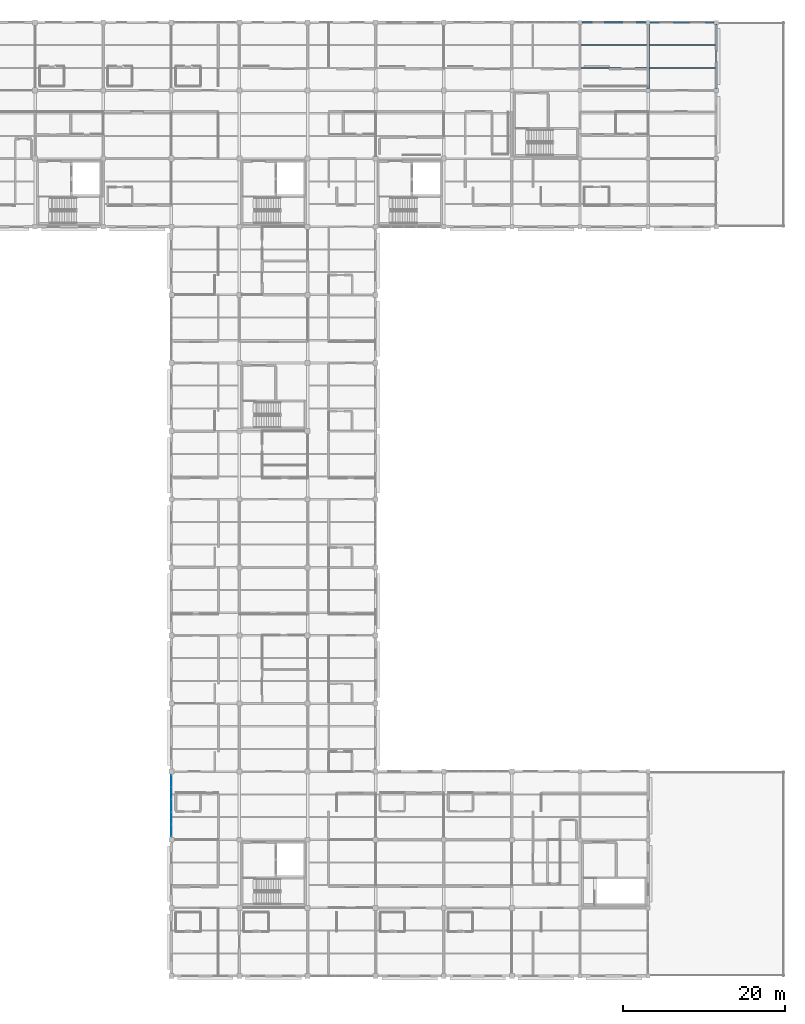
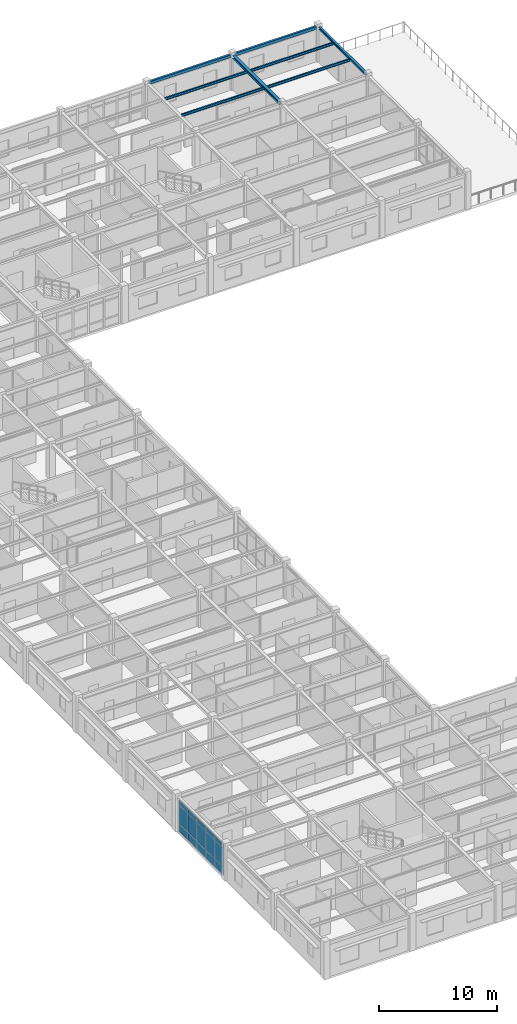
# One storey, part 37 of 70: 15 plates, 8 beams, 1 element without a shape of its own.
"""IFC4 building model written with IfcOpenShell, lengths in metres."""

from ifc_helpers import new_model, si_unit, direction, frame, origin, origin_2d, place, context, subcontext, project, spatial, rectangle, hollow_rectangle, i_section, extrude, material, layer, layer_set, material_profile, profile_set, type_object, element, aggregate, save


model = new_model("IFC4")

# Units and contexts
model_context = context("Model", 3, precision=1e-05, world=origin(), true_north=direction((0.0, 1.0)))
body_context = subcontext(model_context, "Body", "Model", "MODEL_VIEW")
ifc_project = project(units=[si_unit("LENGTHUNIT", "METRE"), si_unit("AREAUNIT", "SQUARE_METRE"), si_unit("VOLUMEUNIT", "CUBIC_METRE"), si_unit("PLANEANGLEUNIT", "RADIAN"), si_unit("MASSUNIT", "GRAM", prefix="KILO")], contexts=[model_context])

# Site, building, storey
site_placement = place(None, origin())
site = spatial("IfcSite", under=ifc_project, at=site_placement, CompositionType="ELEMENT")
building_placement = place(site_placement, origin())
building = spatial("IfcBuilding", under=site, at=building_placement, Name="Bramfleet General Hospital", CompositionType="ELEMENT")
storey_placement = place(building_placement, frame((0.0, 0.0, 22.5)))
storey = spatial("IfcBuildingStorey", under=building, at=storey_placement, Name="L05", CompositionType="ELEMENT", Elevation=22.5)

# Beams
ifc_material_1 = material(Name="Steel S355", Category="steel")
ifc_material_profile_1 = material_profile(ifc_material_1, i_section(OverallWidth=0.239990234375, OverallDepth=0.22998046875, WebThickness=0.007568359375, FlangeThickness=0.011962890625, FilletRadius=0.02099609375, at=origin_2d()), Name="HEA 240")
ifc_profile_set_1 = profile_set([ifc_material_profile_1], Name="Steel S355")
beam_type_1 = type_object("IfcBeamType", Name="BM-HEA240", PredefinedType="SPANDREL", material=ifc_profile_set_1)
beam_1_placement = place(storey_placement, frame((159.60009765625, 109.449951171875, 3.4951171875), z_axis=(0.0, 1.0, 0.0), x_axis=(-1.0, 0.0, 0.0)))
element("IfcBeam", 1, at=beam_1_placement, inside=storey, type_object=beam_type_1, Name="L05 Grid Beam Y 19-13", PredefinedType="SPANDREL", context=body_context, shape_type="SweptSolid", body=[
    extrude(i_section(OverallWidth=0.239990234375, OverallDepth=0.22998046875, WebThickness=0.007568359375, FlangeThickness=0.011962890625, FilletRadius=0.02099609375, at=origin_2d()), origin(), (0.0, 0.0, 1.0), 7.900146484375),
])
ifc_material_profile_2 = material_profile(ifc_material_1, i_section(OverallWidth=0.300048828125, OverallDepth=0.31005859375, WebThickness=0.009033203125, FlangeThickness=0.015380859375, FilletRadius=0.027099609375, at=origin_2d()), Name="HEA 320")
ifc_profile_set_2 = profile_set([ifc_material_profile_2], Name="Steel S355")
beam_type_2 = type_object("IfcBeamType", Name="BM-HEA320", PredefinedType="BEAM", material=ifc_profile_set_2)
beam_2_placement = place(storey_placement, frame((151.199951171875, 109.449951171875, 3.455078125), z_axis=(0.0, 1.0, 0.0), x_axis=(-1.0, 0.0, 0.0)))
element("IfcBeam", 2, at=beam_2_placement, inside=storey, type_object=beam_type_2, Name="L05 Grid Beam Y 18-13", PredefinedType="BEAM", context=body_context, shape_type="SweptSolid", body=[
    extrude(i_section(OverallWidth=0.300048828125, OverallDepth=0.31005859375, WebThickness=0.009033203125, FlangeThickness=0.015380859375, FilletRadius=0.027099609375, at=origin_2d()), origin(), (0.0, 0.0, 1.0), 7.900146484375),
])
ifc_material_profile_3 = material_profile(ifc_material_1, i_section(OverallWidth=0.135009765625, OverallDepth=0.27001953125, WebThickness=0.006591796875, FlangeThickness=0.01025390625, FilletRadius=0.014892578125, at=origin_2d()), Name="IPE 270")
ifc_profile_set_3 = profile_set([ifc_material_profile_3], Name="Steel S355")
beam_type_3 = type_object("IfcBeamType", Name="BM-IPE270", PredefinedType="JOIST", material=ifc_profile_set_3)
for number, where, z_axis, x_axis, name in (
    (3, (142.949951171875, 112.0, 3.485107421875), (1.0, 0.0, 0.0), (0.0, 1.0, 0.0), "L05 Secondary Joist 17-13-1"),
    (4, (142.949951171875, 114.800048828125, 3.485107421875), (1.0, 0.0, 0.0), (0.0, 1.0, 0.0), "L05 Secondary Joist 17-13-2"),
):
    element("IfcBeam", number, at=place(storey_placement, frame(where, z_axis=z_axis, x_axis=x_axis)), inside=storey, type_object=beam_type_3, Name=name, PredefinedType="JOIST", context=body_context, shape_type="SweptSolid", body=[
        extrude(i_section(OverallWidth=0.135009765625, OverallDepth=0.27001953125, WebThickness=0.006591796875, FlangeThickness=0.01025390625, FilletRadius=0.014892578125, at=origin_2d()), origin(), (0.0, 0.0, 1.0), 8.10009765625),
    ])
for number, where, z_axis, x_axis, name in (
    (5, (151.35009765625, 112.0, 3.47509765625), (1.0, 0.0, 0.0), (0.0, 1.0, 0.0), "L05 Secondary Joist 18-13-1"),
    (6, (151.35009765625, 114.800048828125, 3.47509765625), (1.0, 0.0, 0.0), (0.0, 1.0, 0.0), "L05 Secondary Joist 18-13-2"),
):
    element("IfcBeam", number, at=place(storey_placement, frame(where, z_axis=z_axis, x_axis=x_axis)), inside=storey, type_object=beam_type_3, Name=name, PredefinedType="JOIST", context=body_context, shape_type="SweptSolid", body=[
        extrude(i_section(OverallWidth=0.135009765625, OverallDepth=0.27001953125, WebThickness=0.006591796875, FlangeThickness=0.01025390625, FilletRadius=0.014892578125, at=origin_2d()), origin(), (0.0, 0.0, 1.0), 8.1298828125),
    ])
ifc_material_profile_4 = material_profile(ifc_material_1, hollow_rectangle(XDim=0.199951171875, YDim=0.300048828125, WallThickness=0.012451171875, at=origin_2d()), Name="RHS 300x200x12.5")
ifc_profile_set_4 = profile_set([ifc_material_profile_4], Name="Steel S355")
beam_type_4 = type_object("IfcBeamType", Name="BM-RHS300", PredefinedType="SPANDREL", material=ifc_profile_set_4)
beam_3_placement = place(storey_placement, frame((143.050048828125, 117.60009765625, 3.469970703125), z_axis=(1.0, 0.0, 0.0), x_axis=(0.0, 1.0, 0.0)))
element("IfcBeam", 7, at=beam_3_placement, inside=storey, type_object=beam_type_4, Name="L05 Grid Beam X 17-14", PredefinedType="SPANDREL", context=body_context, shape_type="SweptSolid", body=[
    extrude(hollow_rectangle(XDim=0.199951171875, YDim=0.300048828125, WallThickness=0.012451171875, at=origin_2d()), origin(), (0.0, 0.0, 1.0), 7.89990234375),
])
beam_4_placement = place(storey_placement, frame((151.449951171875, 117.60009765625, 3.4599609375), z_axis=(1.0, 0.0, 0.0), x_axis=(0.0, 1.0, 0.0)))
element("IfcBeam", 8, at=beam_4_placement, inside=storey, type_object=beam_type_4, Name="L05 Grid Beam X 18-14", PredefinedType="SPANDREL", context=body_context, shape_type="SweptSolid", body=[
    extrude(hollow_rectangle(XDim=0.199951171875, YDim=0.300048828125, WallThickness=0.012451171875, at=origin_2d()), origin(), (0.0, 0.0, 1.0), 7.900146484375),
])

# Curtain wall, plates
ifc_material_2 = material(Name="Anodised aluminium and low-E triple glazing", Category="aluminium")
ifc_layer_1 = layer(ifc_material_2, 0.179931640625, Name="CWT-CW-13")
ifc_layer_set_1 = layer_set([ifc_layer_1], Name="Anodised aluminium and low-E triple glazing")
curtain_wall_type = type_object("IfcCurtainWallType", Name="CWT-CW-13", PredefinedType="USERDEFINED", material=ifc_layer_set_1)
curtain_wall_placement = place(storey_placement, origin())
curtain_wall = element("IfcCurtainWall", 9, at=curtain_wall_placement, inside=storey, type_object=curtain_wall_type, Name="L05 Curtain Wall 211", ObjectType="Stick curtain wall", PredefinedType="USERDEFINED")
ifc_material_3 = material(Name="Low-E laminated safety glass", Category="glass")
ifc_layer_2 = layer(ifc_material_3, 0.035888671875, Name="CWP-GLZ-3")
ifc_layer_set_2 = layer_set([ifc_layer_2], Name="Low-E laminated safety glass")
plate_type = type_object("IfcPlateType", Name="CWP-GLZ-3", PredefinedType="CURTAIN_PANEL", material=ifc_layer_set_2)
plate_1_placement = place(storey_placement, frame((92.39990234375, 17.95751953125, 0.06494140625), z_axis=(0.0, 0.0, 1.0), x_axis=(0.0, 1.0, 0.0)))
plate_1 = element("IfcPlate", 10, at=plate_1_placement, type_object=plate_type, Name="CW-13 panel 1.1", PredefinedType="CURTAIN_PANEL", context=body_context, shape_type="SweptSolid", body=[
    extrude(rectangle(XDim=1.425048828125, YDim=0.035888671875, at=origin_2d()), origin(), (0.0, 0.0, 1.0), 0.802490234375),
])
plate_2_placement = place(storey_placement, frame((92.39990234375, 17.95751953125, 0.9326171875), z_axis=(0.0, 0.0, 1.0), x_axis=(0.0, 1.0, 0.0)))
plate_2 = element("IfcPlate", 11, at=plate_2_placement, type_object=plate_type, Name="CW-13 panel 1.2", PredefinedType="CURTAIN_PANEL", context=body_context, shape_type="SweptSolid", body=[
    extrude(rectangle(XDim=1.425048828125, YDim=0.035888671875, at=origin_2d()), origin(), (0.0, 0.0, 1.0), 1.864990234375),
])
plate_3_placement = place(storey_placement, frame((92.39990234375, 17.95751953125, 2.86279296875), z_axis=(0.0, 0.0, 1.0), x_axis=(0.0, 1.0, 0.0)))
plate_3 = element("IfcPlate", 12, at=plate_3_placement, type_object=plate_type, Name="CW-13 panel 1.3", PredefinedType="CURTAIN_PANEL", context=body_context, shape_type="SweptSolid", body=[
    extrude(rectangle(XDim=1.425048828125, YDim=0.035888671875, at=origin_2d()), origin(), (0.0, 0.0, 1.0), 0.452392578125),
])
plate_4_placement = place(storey_placement, frame((92.39990234375, 19.469970703125, 0.06494140625), z_axis=(0.0, 0.0, 1.0), x_axis=(0.0, 1.0, 0.0)))
plate_4 = element("IfcPlate", 13, at=plate_4_placement, type_object=plate_type, Name="CW-13 panel 2.1", PredefinedType="CURTAIN_PANEL", context=body_context, shape_type="SweptSolid", body=[
    extrude(rectangle(XDim=1.4599609375, YDim=0.035888671875, at=origin_2d()), origin(), (0.0, 0.0, 1.0), 0.802490234375),
])
plate_5_placement = place(storey_placement, frame((92.39990234375, 19.469970703125, 0.9326171875), z_axis=(0.0, 0.0, 1.0), x_axis=(0.0, 1.0, 0.0)))
plate_5 = element("IfcPlate", 14, at=plate_5_placement, type_object=plate_type, Name="CW-13 panel 2.2", PredefinedType="CURTAIN_PANEL", context=body_context, shape_type="SweptSolid", body=[
    extrude(rectangle(XDim=1.4599609375, YDim=0.035888671875, at=origin_2d()), origin(), (0.0, 0.0, 1.0), 1.864990234375),
])
plate_6_placement = place(storey_placement, frame((92.39990234375, 19.469970703125, 2.86279296875), z_axis=(0.0, 0.0, 1.0), x_axis=(0.0, 1.0, 0.0)))
plate_6 = element("IfcPlate", 15, at=plate_6_placement, type_object=plate_type, Name="CW-13 panel 2.3", PredefinedType="CURTAIN_PANEL", context=body_context, shape_type="SweptSolid", body=[
    extrude(rectangle(XDim=1.4599609375, YDim=0.035888671875, at=origin_2d()), origin(), (0.0, 0.0, 1.0), 0.452392578125),
])
plate_7_placement = place(storey_placement, frame((92.39990234375, 21.0, 0.06494140625), z_axis=(0.0, 0.0, 1.0), x_axis=(0.0, 1.0, 0.0)))
plate_7 = element("IfcPlate", 16, at=plate_7_placement, type_object=plate_type, Name="CW-13 panel 3.1", PredefinedType="CURTAIN_PANEL", context=body_context, shape_type="SweptSolid", body=[
    extrude(rectangle(XDim=1.4599609375, YDim=0.035888671875, at=origin_2d()), origin(), (0.0, 0.0, 1.0), 0.802490234375),
])
plate_8_placement = place(storey_placement, frame((92.39990234375, 21.0, 0.9326171875), z_axis=(0.0, 0.0, 1.0), x_axis=(0.0, 1.0, 0.0)))
plate_8 = element("IfcPlate", 17, at=plate_8_placement, type_object=plate_type, Name="CW-13 panel 3.2", PredefinedType="CURTAIN_PANEL", context=body_context, shape_type="SweptSolid", body=[
    extrude(rectangle(XDim=1.4599609375, YDim=0.035888671875, at=origin_2d()), origin(), (0.0, 0.0, 1.0), 1.864990234375),
])
plate_9_placement = place(storey_placement, frame((92.39990234375, 21.0, 2.86279296875), z_axis=(0.0, 0.0, 1.0), x_axis=(0.0, 1.0, 0.0)))
plate_9 = element("IfcPlate", 18, at=plate_9_placement, type_object=plate_type, Name="CW-13 panel 3.3", PredefinedType="CURTAIN_PANEL", context=body_context, shape_type="SweptSolid", body=[
    extrude(rectangle(XDim=1.4599609375, YDim=0.035888671875, at=origin_2d()), origin(), (0.0, 0.0, 1.0), 0.452392578125),
])
plate_10_placement = place(storey_placement, frame((92.39990234375, 22.530029296875, 0.06494140625), z_axis=(0.0, 0.0, 1.0), x_axis=(0.0, 1.0, 0.0)))
plate_10 = element("IfcPlate", 19, at=plate_10_placement, type_object=plate_type, Name="CW-13 panel 4.1", PredefinedType="CURTAIN_PANEL", context=body_context, shape_type="SweptSolid", body=[
    extrude(rectangle(XDim=1.4599609375, YDim=0.035888671875, at=origin_2d()), origin(), (0.0, 0.0, 1.0), 0.802490234375),
])
plate_11_placement = place(storey_placement, frame((92.39990234375, 22.530029296875, 0.9326171875), z_axis=(0.0, 0.0, 1.0), x_axis=(0.0, 1.0, 0.0)))
plate_11 = element("IfcPlate", 20, at=plate_11_placement, type_object=plate_type, Name="CW-13 panel 4.2", PredefinedType="CURTAIN_PANEL", context=body_context, shape_type="SweptSolid", body=[
    extrude(rectangle(XDim=1.4599609375, YDim=0.035888671875, at=origin_2d()), origin(), (0.0, 0.0, 1.0), 1.864990234375),
])
plate_12_placement = place(storey_placement, frame((92.39990234375, 22.530029296875, 2.86279296875), z_axis=(0.0, 0.0, 1.0), x_axis=(0.0, 1.0, 0.0)))
plate_12 = element("IfcPlate", 21, at=plate_12_placement, type_object=plate_type, Name="CW-13 panel 4.3", PredefinedType="CURTAIN_PANEL", context=body_context, shape_type="SweptSolid", body=[
    extrude(rectangle(XDim=1.4599609375, YDim=0.035888671875, at=origin_2d()), origin(), (0.0, 0.0, 1.0), 0.452392578125),
])
plate_13_placement = place(storey_placement, frame((92.39990234375, 24.04248046875, 0.06494140625), z_axis=(0.0, 0.0, 1.0), x_axis=(0.0, 1.0, 0.0)))
plate_13 = element("IfcPlate", 22, at=plate_13_placement, type_object=plate_type, Name="CW-13 panel 5.1", PredefinedType="CURTAIN_PANEL", context=body_context, shape_type="SweptSolid", body=[
    extrude(rectangle(XDim=1.425048828125, YDim=0.035888671875, at=origin_2d()), origin(), (0.0, 0.0, 1.0), 0.802490234375),
])
plate_14_placement = place(storey_placement, frame((92.39990234375, 24.04248046875, 0.9326171875), z_axis=(0.0, 0.0, 1.0), x_axis=(0.0, 1.0, 0.0)))
plate_14 = element("IfcPlate", 23, at=plate_14_placement, type_object=plate_type, Name="CW-13 panel 5.2", PredefinedType="CURTAIN_PANEL", context=body_context, shape_type="SweptSolid", body=[
    extrude(rectangle(XDim=1.425048828125, YDim=0.035888671875, at=origin_2d()), origin(), (0.0, 0.0, 1.0), 1.864990234375),
])
plate_15_placement = place(storey_placement, frame((92.39990234375, 24.04248046875, 2.86279296875), z_axis=(0.0, 0.0, 1.0), x_axis=(0.0, 1.0, 0.0)))
plate_15 = element("IfcPlate", 24, at=plate_15_placement, type_object=plate_type, Name="CW-13 panel 5.3", PredefinedType="CURTAIN_PANEL", context=body_context, shape_type="SweptSolid", body=[
    extrude(rectangle(XDim=1.425048828125, YDim=0.035888671875, at=origin_2d()), origin(), (0.0, 0.0, 1.0), 0.452392578125),
])
aggregate(curtain_wall, [plate_1, plate_2, plate_3, plate_4, plate_5, plate_6, plate_7, plate_8, plate_9, plate_10, plate_11, plate_12, plate_13, plate_14, plate_15])

save(model, "model.ifc")
